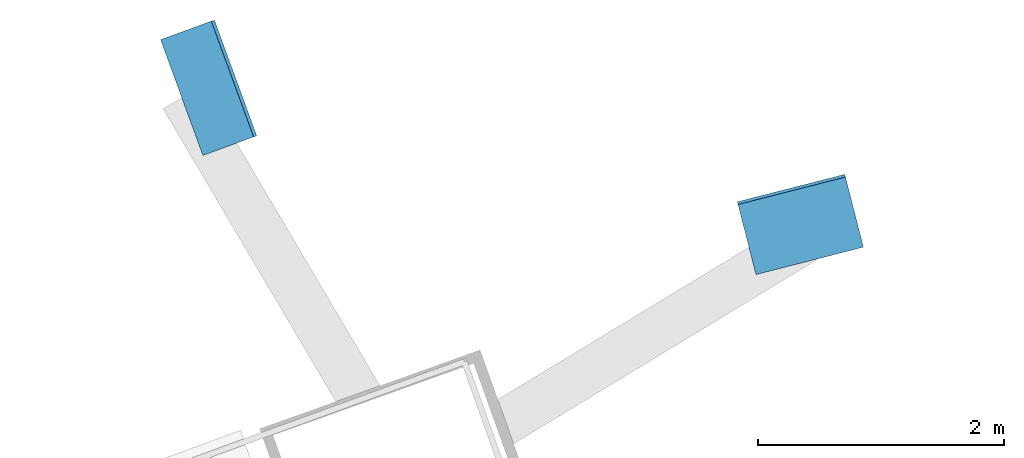
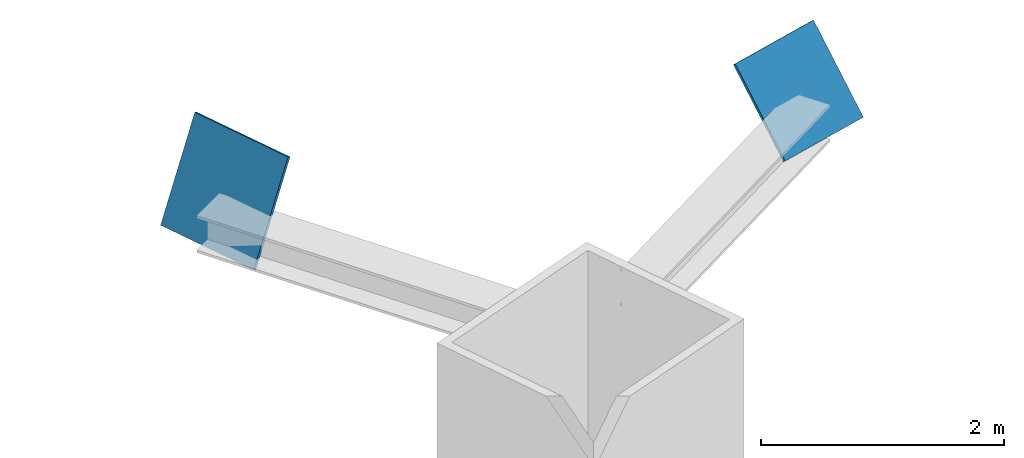
# One storey, part 20 of 23: 2 discrete accessories.
"""IFC4 building model written with IfcOpenShell, lengths in metres."""

from ifc_helpers import new_model, si_unit, direction, frame, origin, origin_2d, place, context, subcontext, project, spatial, rectangle, extrude, material, material_profile, profile_set, type_object, element, save


model = new_model("IFC4")

# Units and contexts
model_context = context("Model", 3, precision=1e-05, world=origin(), true_north=direction((0.0, 1.0)))
body_context = subcontext(model_context, "Body", "Model", "MODEL_VIEW")
ifc_project = project(units=[si_unit("LENGTHUNIT", "METRE"), si_unit("AREAUNIT", "SQUARE_METRE"), si_unit("VOLUMEUNIT", "CUBIC_METRE"), si_unit("PLANEANGLEUNIT", "RADIAN"), si_unit("MASSUNIT", "GRAM", prefix="KILO")], contexts=[model_context])

# Site, building, storey
site_placement = place(None, origin())
site = spatial("IfcSite", under=ifc_project, at=site_placement, CompositionType="ELEMENT")
building_placement = place(site_placement, origin())
building = spatial("IfcBuilding", under=site, at=building_placement, Name="Alderwake Tower", CompositionType="ELEMENT")
storey_placement = place(building_placement, frame((0.0, 0.0, 100.39990234375)))
storey = spatial("IfcBuildingStorey", under=building, at=storey_placement, Name="L24", CompositionType="ELEMENT", Elevation=100.39990234375)

# Discrete accessories
ifc_material_1 = material(Name="Steel ASTM A572 Grade 50", Category="steel")
ifc_material_profile_1 = material_profile(ifc_material_1, rectangle(XDim=1.0, YDim=1.0, at=origin_2d()), Name="BOX 1000X1000X60 cap")
ifc_profile_set_1 = profile_set([ifc_material_profile_1], Name="Steel ASTM A572 Grade 50")
discrete_accessory_type_1 = type_object("IfcDiscreteAccessoryType", Name="End cap plate BOX 1000X1000X60", PredefinedType="USERDEFINED", material=ifc_profile_set_1)
discrete_accessory_1_placement = place(storey_placement, frame((51.243896484375, 111.781982421875, 3.60009765625), z_axis=(0.844218141181, 0.308464320816, -0.438344034844), x_axis=(-0.343192952924, 0.939264923791, 0.0)))
element("IfcDiscreteAccessory", 1, at=discrete_accessory_1_placement, inside=storey, type_object=discrete_accessory_type_1, Name="End cap BRN2.2.0B1 S", ObjectType="END CAP", PredefinedType="USERDEFINED", context=body_context, shape_type="SweptSolid", body=[
    extrude(rectangle(XDim=1.0, YDim=1.0, at=origin_2d()), origin(), (0.0, 0.0, 1.0), 0.030029296875),
])
ifc_material_2 = material(Name="Steel ASTM A572 Grade 50", Category="steel")
ifc_material_profile_2 = material_profile(ifc_material_2, rectangle(XDim=0.89990234375, YDim=0.89990234375, at=origin_2d()), Name="BOX 900X900X55 cap")
ifc_profile_set_2 = profile_set([ifc_material_profile_2], Name="Steel ASTM A572 Grade 50")
discrete_accessory_type_2 = type_object("IfcDiscreteAccessoryType", Name="End cap plate BOX 900X900X55", PredefinedType="USERDEFINED", material=ifc_profile_set_2)
discrete_accessory_2_placement = place(storey_placement, frame((56.060791015625, 110.666015625, 3.60009765625), z_axis=(-0.187612942008, 0.734137599163, -0.652566754812), x_axis=(-0.968862785912, -0.247598267511, 0.0)))
element("IfcDiscreteAccessory", 2, at=discrete_accessory_2_placement, inside=storey, type_object=discrete_accessory_type_2, Name="End cap BRF2.2.10B1 S", ObjectType="END CAP", PredefinedType="USERDEFINED", context=body_context, shape_type="SweptSolid", body=[
    extrude(rectangle(XDim=0.89990234375, YDim=0.89990234375, at=origin_2d()), origin(), (0.0, 0.0, 1.0), 0.030029296875),
])

save(model, "model.ifc")
